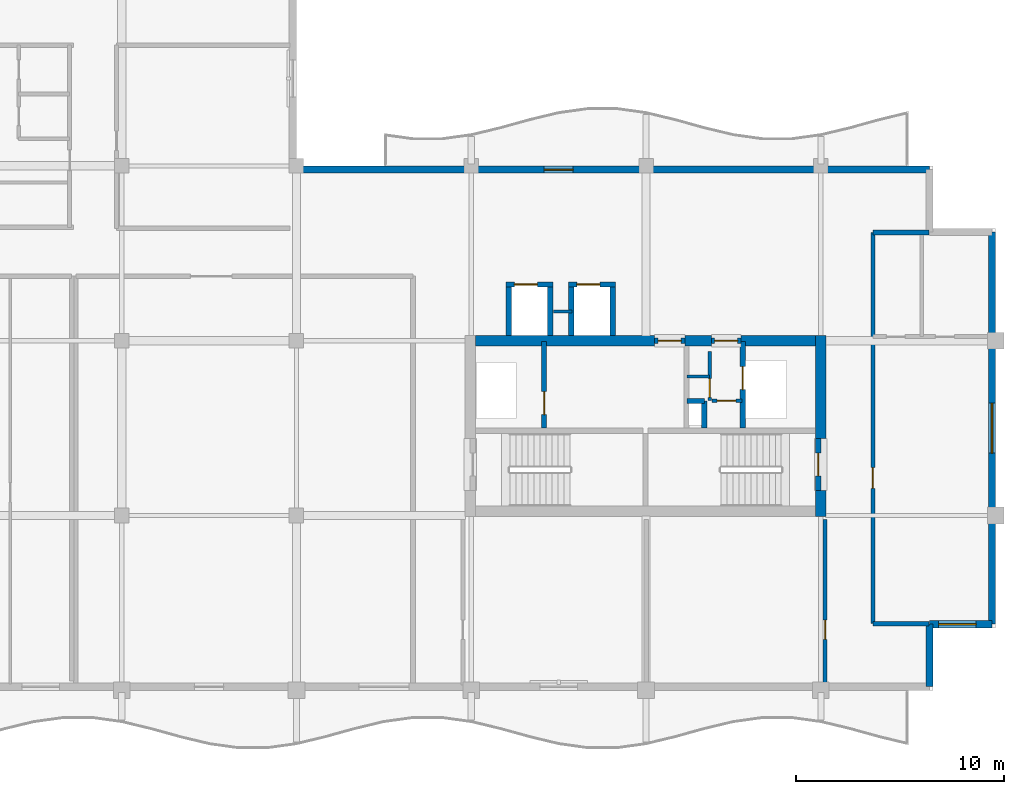
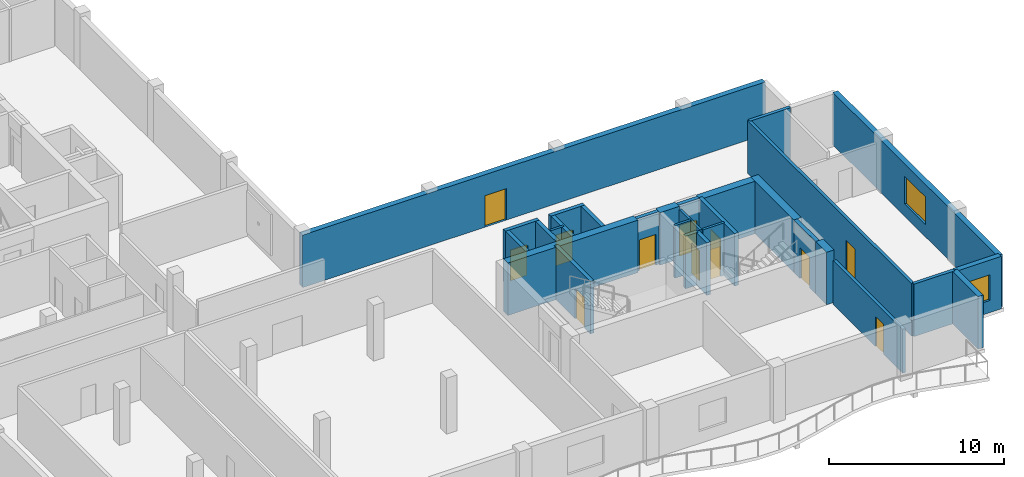
# One storey, part 4 of 11: 30 walls, 12 doors, 2 windows, 14 openings.
"""IFC4 building model written with IfcOpenShell, lengths in metres."""

from ifc_helpers import new_model, si_unit, direction, frame, frame_2d, origin, place, context, subcontext, project, spatial, rectangle, extrude, material, layer, layer_set, type_object, element, fill, save


model = new_model("IFC4")

# Units and contexts
model_context = context("Model", 3, precision=1e-05, world=origin(), true_north=direction((0.0, 1.0)))
body_context = subcontext(model_context, "Body", "Model", "MODEL_VIEW")
ifc_project = project(units=[si_unit("LENGTHUNIT", "METRE"), si_unit("AREAUNIT", "SQUARE_METRE"), si_unit("VOLUMEUNIT", "CUBIC_METRE"), si_unit("PLANEANGLEUNIT", "RADIAN"), si_unit("MASSUNIT", "GRAM", prefix="KILO")], contexts=[model_context])

# Site, building, storey
site_placement = place(None, origin())
site = spatial("IfcSite", under=ifc_project, at=site_placement, CompositionType="ELEMENT")
building_placement = place(site_placement, origin())
building = spatial("IfcBuilding", under=site, at=building_placement, Name="Koriwani Terraces Tower", CompositionType="ELEMENT")
storey_placement = place(building_placement, frame((0.0, 0.0, 335.89990234375)))
storey = spatial("IfcBuildingStorey", under=building, at=storey_placement, Name="L83", CompositionType="ELEMENT", Elevation=335.89990234375)

# Walls
ifc_material_1 = material(Name="Concrete C50/60", Category="concrete")
ifc_layer_1 = layer(ifc_material_1, 0.5, Name="Concrete C50/60")
ifc_layer_set_1 = layer_set([ifc_layer_1], Name="Concrete C50/60")
wall_type_1 = type_object("IfcWallType", Name="WALL_CORE_RC_500", PredefinedType="SHEAR", material=ifc_layer_set_1)
wall_1_placement = place(storey_placement, frame((58.800048828125, 16.75, 0.0), z_axis=(0.0, 0.0, 1.0), x_axis=(0.0, 1.0, 0.0)))
element("IfcWall", 1, at=wall_1_placement, inside=storey, type_object=wall_type_1, Name="L83 East Split Core Shear Wall E1", PredefinedType="SHEAR", context=body_context, shape_type="SweptSolid", body=[
    extrude(rectangle(XDim=1.25, YDim=0.5, at=frame_2d((0.625, 0.0))), origin(), (0.0, 0.0, 1.0), 3.670166015625),
])
wall_2_placement = place(storey_placement, frame((58.800048828125, 20.5, 0.0), z_axis=(0.0, 0.0, 1.0), x_axis=(0.0, 1.0, 0.0)))
element("IfcWall", 2, at=wall_2_placement, inside=storey, type_object=wall_type_1, Name="L83 East Split Core Shear Wall E2", PredefinedType="SHEAR", context=body_context, shape_type="SweptSolid", body=[
    extrude(rectangle(XDim=4.949951171875, YDim=0.5, at=frame_2d((2.47509765625, 0.0))), origin(), (0.0, 0.0, 1.0), 3.670166015625),
])
wall_3_placement = place(storey_placement, frame((42.199951171875, 25.199951171875, 0.0), z_axis=(0.0, 0.0, 1.0), x_axis=(1.0, 0.0, 0.0)))
element("IfcWall", 3, at=wall_3_placement, inside=storey, type_object=wall_type_1, Name="L83 East Split Core Shear Wall N1", PredefinedType="SHEAR", context=body_context, shape_type="SweptSolid", body=[
    extrude(rectangle(XDim=8.60009765625, YDim=0.5, at=frame_2d((4.300048828125, 0.0))), origin(), (0.0, 0.0, 1.0), 3.670166015625),
])
wall_4_placement = place(storey_placement, frame((52.280029296875, 25.199951171875, 0.0), z_axis=(0.0, 0.0, 1.0), x_axis=(1.0, 0.0, 0.0)))
element("IfcWall", 4, at=wall_4_placement, inside=storey, type_object=wall_type_1, Name="L83 East Split Core Shear Wall N2", PredefinedType="SHEAR", context=body_context, shape_type="SweptSolid", body=[
    extrude(rectangle(XDim=1.27001953125, YDim=0.5, at=frame_2d((0.635009765625, 0.0))), origin(), (0.0, 0.0, 1.0), 3.670166015625),
])
wall_5_placement = place(storey_placement, frame((54.949951171875, 25.199951171875, 0.0), z_axis=(0.0, 0.0, 1.0), x_axis=(1.0, 0.0, 0.0)))
element("IfcWall", 5, at=wall_5_placement, inside=storey, type_object=wall_type_1, Name="L83 East Split Core Shear Wall N3", PredefinedType="SHEAR", context=body_context, shape_type="SweptSolid", body=[
    extrude(rectangle(XDim=3.60009765625, YDim=0.5, at=frame_2d((1.800048828125, 0.0))), origin(), (0.0, 0.0, 1.0), 3.670166015625),
])

# Wall, opening, door
ifc_material_2 = material(Name="Autoclaved Cellular Concrete Blockwork", Category="masonry")
ifc_layer_2 = layer(ifc_material_2, 0.199951171875, Name="Autoclaved Cellular Concrete Blockwork")
ifc_layer_set_2 = layer_set([ifc_layer_2], Name="Autoclaved Cellular Concrete Blockwork")
wall_type_2 = type_object("IfcWallType", Name="WALL_CORRIDOR_200", PredefinedType="PARTITIONING", material=ifc_layer_set_2)
wall_6_placement = place(storey_placement, frame((59.0, 8.64990234375, 0.0), z_axis=(0.0, 0.0, 1.0), x_axis=(0.0, 1.0, 0.0)))
wall_6 = element("IfcWall", 6, at=wall_6_placement, inside=storey, type_object=wall_type_2, Name="L83 Interior Wall WRZ4-EE-L83", PredefinedType="PARTITIONING", context=body_context, shape_type="SweptSolid", body=[
    extrude(rectangle(XDim=7.9501953125, YDim=0.199951171875, at=frame_2d((3.97509765625, 0.0))), origin(), (0.0, 0.0, 1.0), 3.070068359375),
])
opening_1_placement = place(wall_6_placement, frame((2.199951171875, 0.0, 0.0)))
opening_1 = element("IfcOpeningElement", 7, at=opening_1_placement, cuts=wall_6, Name="Opening D-06", PredefinedType="OPENING", context=body_context, shape_type="SweptSolid", body=[
    extrude(rectangle(XDim=0.919921875, YDim=2.10009765625, at=frame_2d((0.4599609375, 1.050048828125))), frame((0.0, 0.10986328125, 0.0), z_axis=(0.0, -1.0, 0.0), x_axis=(1.0, 0.0, 0.0)), (0.0, 0.0, 1.0), 0.219970703125),
])
ifc_material_3 = material(Name="Architectural Oak Fire Door", Category="wood")
door_type_1 = type_object("IfcDoorType", Name="DOOR_ROOM_INT_920X2100", OperationType="NOTDEFINED", PredefinedType="DOOR", material=ifc_material_3)
door_1_placement = place(opening_1_placement, origin())
door_1 = element("IfcDoor", 8, at=door_1_placement, inside=storey, type_object=door_type_1, Name="L83 Resident Laundry Room Door", OperationType="SINGLE_SWING_LEFT", OverallHeight=2.10009765625, OverallWidth=0.919921875, PredefinedType="DOOR", context=body_context, shape_type="SweptSolid", body=[
    extrude(rectangle(XDim=0.919921875, YDim=2.10009765625, at=frame_2d((0.4599609375, 1.050048828125))), frame((0.0, 0.02490234375, 0.0), z_axis=(0.0, -1.0, 0.0), x_axis=(1.0, 0.0, 0.0)), (0.0, 0.0, 1.0), 0.050048828125),
])
fill(opening_1, door_1)

wall_7_placement = place(storey_placement, frame((61.300048828125, 11.60009765625, 0.0), z_axis=(0.0, 0.0, 1.0), x_axis=(0.0, 1.0, 0.0)))
wall_7 = element("IfcWall", 9, at=wall_7_placement, inside=storey, type_object=wall_type_2, Name="L83 Interior Wall WET-W-L83", PredefinedType="PARTITIONING", context=body_context, shape_type="SweptSolid", body=[
    extrude(rectangle(XDim=18.7998046875, YDim=0.199951171875, at=frame_2d((9.39990234375, 0.0))), origin(), (0.0, 0.0, 1.0), 3.670166015625),
])
opening_2_placement = place(wall_7_placement, frame((6.5, 0.0, 0.0)))
opening_2 = element("IfcOpeningElement", 10, at=opening_2_placement, cuts=wall_7, Name="Opening D-05", PredefinedType="OPENING", context=body_context, shape_type="SweptSolid", body=[
    extrude(rectangle(XDim=1.0, YDim=2.14990234375, at=frame_2d((0.5, 1.074951171875))), frame((0.0, 0.10986328125, 0.0), z_axis=(0.0, -1.0, 0.0), x_axis=(1.0, 0.0, 0.0)), (0.0, 0.0, 1.0), 0.219970703125),
])
door_type_2 = type_object("IfcDoorType", Name="DOOR_SUITE_ENTRY_1000X2150", OperationType="NOTDEFINED", PredefinedType="DOOR", material=ifc_material_3)
door_2_placement = place(opening_2_placement, origin())
door_2 = element("IfcDoor", 11, at=door_2_placement, inside=storey, type_object=door_type_2, Name="Apartment 83ET Entrance Door", OperationType="SINGLE_SWING_LEFT", OverallHeight=2.14990234375, OverallWidth=1.0, PredefinedType="DOOR", context=body_context, shape_type="SweptSolid", body=[
    extrude(rectangle(XDim=1.0, YDim=2.14990234375, at=frame_2d((0.5, 1.074951171875))), frame((0.0, 0.02490234375, 0.0), z_axis=(0.0, -1.0, 0.0), x_axis=(1.0, 0.0, 0.0)), (0.0, 0.0, 1.0), 0.050048828125),
])
fill(opening_2, door_2)

# Walls
ifc_layer_3 = layer(ifc_material_2, 0.219970703125, Name="Autoclaved Cellular Concrete Blockwork")
ifc_layer_set_3 = layer_set([ifc_layer_3], Name="Autoclaved Cellular Concrete Blockwork")
wall_type_3 = type_object("IfcWallType", Name="WALL_DEMISING_220", PredefinedType="PARTITIONING", material=ifc_layer_set_3)
for number, where, z_axis, x_axis, name in (
    (12, (61.300048828125, 11.60009765625, 0.0), (0.0, 0.0, 1.0), (1.0, 0.0, 0.0), "L83 Interior Wall WET-S-L83"),
    (13, (61.300048828125, 30.39990234375, 0.0), (0.0, 0.0, 1.0), (1.0, 0.0, 0.0), "L83 Interior Wall WET-N-L83"),
):
    element("IfcWall", number, at=place(storey_placement, frame(where, z_axis=z_axis, x_axis=x_axis)), inside=storey, type_object=wall_type_3, Name=name, PredefinedType="PARTITIONING", context=body_context, shape_type="SweptSolid", body=[
        extrude(rectangle(XDim=2.699951171875, YDim=0.219970703125, at=frame_2d((1.35009765625, 0.0))), origin(), (0.0, 0.0, 1.0), 3.670166015625),
    ])

# Wall, opening, door
ifc_layer_4 = layer(ifc_material_1, 0.35009765625, Name="Concrete C50/60")
ifc_layer_set_4 = layer_set([ifc_layer_4], Name="Concrete C50/60")
wall_type_4 = type_object("IfcWallType", Name="WALL_EXT_BRUTALIST_350", PredefinedType="STANDARD", material=ifc_layer_set_4)
wall_8_placement = place(storey_placement, frame((33.425048828125, 33.425048828125, 0.0), z_axis=(0.0, 0.0, 1.0), x_axis=(1.0, 0.0, 0.0)))
wall_8 = element("IfcWall", 14, at=wall_8_placement, inside=storey, type_object=wall_type_4, Name="L83 Fair-Faced Brutalist Exterior Wall (NE)", PredefinedType="STANDARD", context=body_context, shape_type="SweptSolid", body=[
    extrude(rectangle(XDim=30.599853515625, YDim=0.35009765625, at=frame_2d((15.2998046875, 0.0))), origin(), (0.0, 0.0, 1.0), 3.670166015625),
])
opening_3_placement = place(wall_8_placement, frame((12.074951171875, 0.0, 0.0)))
opening_3 = element("IfcOpeningElement", 15, at=opening_3_placement, cuts=wall_8, Name="Opening D-09", PredefinedType="OPENING", context=body_context, shape_type="SweptSolid", body=[
    extrude(rectangle(XDim=1.39990234375, YDim=2.199951171875, at=frame_2d((0.699951171875, 1.10009765625))), frame((0.0, 0.18505859375, 0.0), z_axis=(0.0, -1.0, 0.0), x_axis=(1.0, 0.0, 0.0)), (0.0, 0.0, 1.0), 0.3701171875),
])
ifc_material_4 = material(Name="Anodised Bronze Aluminium", Category="aluminium")
door_type_3 = type_object("IfcDoorType", Name="DOOR_BALCONY_GLAZED_1400X2200", OperationType="NOTDEFINED", PredefinedType="DOOR", material=ifc_material_4)
door_3_placement = place(opening_3_placement, origin())
door_3 = element("IfcDoor", 16, at=door_3_placement, inside=storey, type_object=door_type_3, Name="L83 Inner Court Balcony Glazed Door", OperationType="SINGLE_SWING_LEFT", OverallHeight=2.199951171875, OverallWidth=1.39990234375, PredefinedType="DOOR", context=body_context, shape_type="SweptSolid", body=[
    extrude(rectangle(XDim=1.39990234375, YDim=2.199951171875, at=frame_2d((0.699951171875, 1.10009765625))), frame((0.0, 0.02490234375, 0.0), z_axis=(0.0, -1.0, 0.0), x_axis=(1.0, 0.0, 0.0)), (0.0, 0.0, 1.0), 0.050048828125),
])
fill(opening_3, door_3)

# Wall, opening, window
wall_9_placement = place(storey_placement, frame((67.02490234375, 30.425048828125, 0.0), z_axis=(0.0, 0.0, 1.0), x_axis=(0.0, -1.0, 0.0)))
wall_9 = element("IfcWall", 17, at=wall_9_placement, inside=storey, type_object=wall_type_4, Name="L83 Fair-Faced Brutalist Exterior Wall (E_TIP)", PredefinedType="STANDARD", context=body_context, shape_type="SweptSolid", body=[
    extrude(rectangle(XDim=18.85009765625, YDim=0.35009765625, at=frame_2d((9.425048828125, 0.0))), origin(), (0.0, 0.0, 1.0), 3.670166015625),
])
opening_4_placement = place(wall_9_placement, frame((8.22509765625, 0.0, 0.85009765625)))
opening_4 = element("IfcOpeningElement", 18, at=opening_4_placement, cuts=wall_9, Name="Opening W-03", PredefinedType="OPENING", context=body_context, shape_type="SweptSolid", body=[
    extrude(rectangle(XDim=2.39990234375, YDim=1.949951171875, at=frame_2d((1.199951171875, 0.97509765625))), frame((0.0, 0.18505859375, 0.0), z_axis=(0.0, -1.0, 0.0), x_axis=(1.0, 0.0, 0.0)), (0.0, 0.0, 1.0), 0.3701171875),
])
ifc_material_5 = material(Name="Tempered Laminated Low-E Glass", Category="glass")
window_type_1 = type_object("IfcWindowType", Name="WIN_RES_LIVING_2400X1950", PartitioningType="DOUBLE_PANEL_VERTICAL", PredefinedType="WINDOW", material=ifc_material_5)
window_1_placement = place(opening_4_placement, origin())
window_1 = element("IfcWindow", 19, at=window_1_placement, inside=storey, type_object=window_type_1, Name="L83 Exterior Window (E_TIP-3)", OverallHeight=1.949951171875, OverallWidth=2.39990234375, PartitioningType="SINGLE_PANEL", PredefinedType="WINDOW", context=body_context, shape_type="SweptSolid", body=[
    extrude(rectangle(XDim=2.39990234375, YDim=1.949951171875, at=frame_2d((1.199951171875, 0.97509765625))), frame((0.0, 0.030029296875, 0.0), z_axis=(0.0, -1.0, 0.0), x_axis=(1.0, 0.0, 0.0)), (0.0, 0.0, 1.0), 0.06005859375),
])
fill(opening_4, window_1)

wall_10_placement = place(storey_placement, frame((67.02490234375, 11.574951171875, 0.0), z_axis=(0.0, 0.0, 1.0), x_axis=(-1.0, 0.0, 0.0)))
wall_10 = element("IfcWall", 20, at=wall_10_placement, inside=storey, type_object=wall_type_4, Name="L83 Fair-Faced Brutalist Exterior Wall (N13)", PredefinedType="STANDARD", context=body_context, shape_type="SweptSolid", body=[
    extrude(rectangle(XDim=3.0, YDim=0.35009765625, at=frame_2d((1.5, 0.0))), origin(), (0.0, 0.0, 1.0), 3.670166015625),
])
opening_5_placement = place(wall_10_placement, frame((0.762451171875, 0.0, 0.85009765625)))
opening_5 = element("IfcOpeningElement", 21, at=opening_5_placement, cuts=wall_10, Name="Opening W-04", PredefinedType="OPENING", context=body_context, shape_type="SweptSolid", body=[
    extrude(rectangle(XDim=1.800048828125, YDim=1.800048828125, at=frame_2d((0.89990234375, 0.89990234375))), frame((0.0, 0.18505859375, 0.0), z_axis=(0.0, -1.0, 0.0), x_axis=(1.0, 0.0, 0.0)), (0.0, 0.0, 1.0), 0.3701171875),
])
window_type_2 = type_object("IfcWindowType", Name="WIN_RES_BED_1800X1800", PartitioningType="DOUBLE_PANEL_VERTICAL", PredefinedType="WINDOW", material=ifc_material_5)
window_2_placement = place(opening_5_placement, origin())
window_2 = element("IfcWindow", 22, at=window_2_placement, inside=storey, type_object=window_type_2, Name="L83 Exterior Window (N13-R46)", OverallHeight=1.800048828125, OverallWidth=1.800048828125, PartitioningType="SINGLE_PANEL", PredefinedType="WINDOW", context=body_context, shape_type="SweptSolid", body=[
    extrude(rectangle(XDim=1.800048828125, YDim=1.800048828125, at=frame_2d((0.89990234375, 0.89990234375))), frame((0.0, 0.030029296875, 0.0), z_axis=(0.0, -1.0, 0.0), x_axis=(1.0, 0.0, 0.0)), (0.0, 0.0, 1.0), 0.06005859375),
])
fill(opening_5, window_2)

# Wall
wall_11_placement = place(storey_placement, frame((64.02490234375, 11.574951171875, 0.0), z_axis=(0.0, 0.0, 1.0), x_axis=(0.0, -1.0, 0.0)))
element("IfcWall", 23, at=wall_11_placement, inside=storey, type_object=wall_type_4, Name="L83 Fair-Faced Brutalist Exterior Wall (N14)", PredefinedType="STANDARD", context=body_context, shape_type="SweptSolid", body=[
    extrude(rectangle(XDim=3.0, YDim=0.35009765625, at=frame_2d((1.5, 0.0))), origin(), (0.0, 0.0, 1.0), 3.670166015625),
])

# Wall, opening, door
ifc_material_6 = material(Name="Concrete C40/50", Category="concrete")
ifc_layer_5 = layer(ifc_material_6, 0.25, Name="Concrete C40/50")
ifc_layer_set_5 = layer_set([ifc_layer_5], Name="Concrete C40/50")
wall_type_5 = type_object("IfcWallType", Name="WALL_SHAFT_RATED_250", PredefinedType="SOLIDWALL", material=ifc_layer_set_5)
wall_12_placement = place(storey_placement, frame((58.675048828125, 18.0, 0.0), z_axis=(0.0, 0.0, 1.0), x_axis=(0.0, 1.0, 0.0)))
wall_12 = element("IfcWall", 24, at=wall_12_placement, inside=storey, type_object=wall_type_5, Name="L83 Interior Wall WIN-CE-L83-STE", PredefinedType="SOLIDWALL", context=body_context, shape_type="SweptSolid", body=[
    extrude(rectangle(XDim=2.5, YDim=0.25, at=frame_2d((1.25, 0.0))), origin(), (0.0, 0.0, 1.0), 3.670166015625),
])
opening_6_placement = place(wall_12_placement, frame((0.699951171875, 0.0, 0.0)))
opening_6 = element("IfcOpeningElement", 25, at=opening_6_placement, cuts=wall_12, Name="Opening D-03", PredefinedType="OPENING", context=body_context, shape_type="SweptSolid", body=[
    extrude(rectangle(XDim=1.10009765625, YDim=2.14990234375, at=frame_2d((0.550048828125, 1.074951171875))), frame((0.0, 0.135009765625, 0.0), z_axis=(0.0, -1.0, 0.0), x_axis=(1.0, 0.0, 0.0)), (0.0, 0.0, 1.0), 0.27001953125),
])
ifc_material_7 = material(Name="Steel ASTM A572 Grade 50", Category="steel")
door_type_4 = type_object("IfcDoorType", Name="DOOR_STAIR_FIRE_1100X2150", OperationType="NOTDEFINED", PredefinedType="DOOR", material=ifc_material_7)
door_4_placement = place(opening_6_placement, origin())
door_4 = element("IfcDoor", 26, at=door_4_placement, inside=storey, type_object=door_type_4, Name="L83 Exit Stair ST-E2 Door", OperationType="SINGLE_SWING_LEFT", OverallHeight=2.14990234375, OverallWidth=1.10009765625, PredefinedType="DOOR", context=body_context, shape_type="SweptSolid", body=[
    extrude(rectangle(XDim=1.10009765625, YDim=2.14990234375, at=frame_2d((0.550048828125, 1.074951171875))), frame((0.0, 0.02490234375, 0.0), z_axis=(0.0, -1.0, 0.0), x_axis=(1.0, 0.0, 0.0)), (0.0, 0.0, 1.0), 0.050048828125),
])
fill(opening_6, door_4)

wall_13_placement = place(storey_placement, frame((45.5, 21.0, 0.0), z_axis=(0.0, 0.0, 1.0), x_axis=(0.0, 1.0, 0.0)))
wall_13 = element("IfcWall", 27, at=wall_13_placement, inside=storey, type_object=wall_type_5, Name="L83 Interior Wall WIN-CE-L83-FE", PredefinedType="SOLIDWALL", context=body_context, shape_type="SweptSolid", body=[
    extrude(rectangle(XDim=4.14990234375, YDim=0.25, at=frame_2d((2.074951171875, 0.0))), origin(), (0.0, 0.0, 1.0), 3.670166015625),
])
opening_7_placement = place(wall_13_placement, frame((0.64990234375, 0.0, 0.0)))
opening_7 = element("IfcOpeningElement", 28, at=opening_7_placement, cuts=wall_13, Name="Opening LD-01", PredefinedType="OPENING", context=body_context, shape_type="SweptSolid", body=[
    extrude(rectangle(XDim=1.10009765625, YDim=2.14990234375, at=frame_2d((0.550048828125, 1.074951171875))), frame((0.0, 0.135009765625, 0.0), z_axis=(0.0, -1.0, 0.0), x_axis=(1.0, 0.0, 0.0)), (0.0, 0.0, 1.0), 0.27001953125),
])
door_type_5 = type_object("IfcDoorType", Name="DOOR_LIFT_LANDING_1100X2200", OperationType="NOTDEFINED", PredefinedType="DOOR", material=ifc_material_7)
door_5_placement = place(opening_7_placement, origin())
door_5 = element("IfcDoor", 29, at=door_5_placement, inside=storey, type_object=door_type_5, Name="L83 Firefighting Lift FE-02 Landing Door", OperationType="SLIDING_TO_LEFT", OverallHeight=2.14990234375, OverallWidth=1.10009765625, PredefinedType="DOOR", context=body_context, shape_type="SweptSolid", body=[
    extrude(rectangle(XDim=1.10009765625, YDim=2.14990234375, at=frame_2d((0.550048828125, 1.074951171875))), frame((0.0, 0.02490234375, 0.0), z_axis=(0.0, -1.0, 0.0), x_axis=(1.0, 0.0, 0.0)), (0.0, 0.0, 1.0), 0.050048828125),
])
fill(opening_7, door_5)

wall_14_placement = place(storey_placement, frame((50.800048828125, 25.199951171875, 0.0), z_axis=(0.0, 0.0, 1.0), x_axis=(1.0, 0.0, 0.0)))
wall_14 = element("IfcWall", 30, at=wall_14_placement, inside=storey, type_object=wall_type_5, Name="L83 Interior Wall WIN-CE-L83-NP", PredefinedType="SOLIDWALL", context=body_context, shape_type="SweptSolid", body=[
    extrude(rectangle(XDim=1.47998046875, YDim=0.25, at=frame_2d((0.739990234375, 0.0))), origin(), (0.0, 0.0, 1.0), 3.670166015625),
])
opening_8_placement = place(wall_14_placement, frame((0.179931640625, 0.0, 0.0)))
opening_8 = element("IfcOpeningElement", 31, at=opening_8_placement, cuts=wall_14, Name="Opening D-03", PredefinedType="OPENING", context=body_context, shape_type="SweptSolid", body=[
    extrude(rectangle(XDim=1.10009765625, YDim=2.14990234375, at=frame_2d((0.550048828125, 1.074951171875))), frame((0.0, 0.135009765625, 0.0), z_axis=(0.0, -1.0, 0.0), x_axis=(1.0, 0.0, 0.0)), (0.0, 0.0, 1.0), 0.27001953125),
])
door_6_placement = place(opening_8_placement, origin())
door_6 = element("IfcDoor", 32, at=door_6_placement, inside=storey, type_object=door_type_4, Name="L83 East Firefighting Lobby Door", OperationType="SINGLE_SWING_RIGHT", OverallHeight=2.14990234375, OverallWidth=1.10009765625, PredefinedType="DOOR", context=body_context, shape_type="SweptSolid", body=[
    extrude(rectangle(XDim=1.10009765625, YDim=2.14990234375, at=frame_2d((0.550048828125, 1.074951171875))), frame((0.0, 0.02490234375, 0.0), z_axis=(0.0, -1.0, 0.0), x_axis=(1.0, 0.0, 0.0)), (0.0, 0.0, 1.0), 0.050048828125),
])
fill(opening_8, door_6)

wall_15_placement = place(storey_placement, frame((55.050048828125, 21.0, 0.0), z_axis=(0.0, 0.0, 1.0), x_axis=(0.0, 1.0, 0.0)))
wall_15 = element("IfcWall", 33, at=wall_15_placement, inside=storey, type_object=wall_type_5, Name="L83 Interior Wall WIN-CE-L83-SE", PredefinedType="SOLIDWALL", context=body_context, shape_type="SweptSolid", body=[
    extrude(rectangle(XDim=4.14990234375, YDim=0.25, at=frame_2d((2.074951171875, 0.0))), origin(), (0.0, 0.0, 1.0), 3.670166015625),
])
opening_9_placement = place(wall_15_placement, frame((1.85009765625, 0.0, 0.0)))
opening_9 = element("IfcOpeningElement", 34, at=opening_9_placement, cuts=wall_15, Name="Opening LD-01", PredefinedType="OPENING", context=body_context, shape_type="SweptSolid", body=[
    extrude(rectangle(XDim=1.10009765625, YDim=2.14990234375, at=frame_2d((0.550048828125, 1.074951171875))), frame((0.0, 0.135009765625, 0.0), z_axis=(0.0, -1.0, 0.0), x_axis=(1.0, 0.0, 0.0)), (0.0, 0.0, 1.0), 0.27001953125),
])
door_7_placement = place(opening_9_placement, origin())
door_7 = element("IfcDoor", 35, at=door_7_placement, inside=storey, type_object=door_type_5, Name="L83 Goods Lift SE-02 Landing Door", OperationType="SLIDING_TO_LEFT", OverallHeight=2.14990234375, OverallWidth=1.10009765625, PredefinedType="DOOR", context=body_context, shape_type="SweptSolid", body=[
    extrude(rectangle(XDim=1.10009765625, YDim=2.14990234375, at=frame_2d((0.550048828125, 1.074951171875))), frame((0.0, 0.02490234375, 0.0), z_axis=(0.0, -1.0, 0.0), x_axis=(1.0, 0.0, 0.0)), (0.0, 0.0, 1.0), 0.050048828125),
])
fill(opening_9, door_7)

wall_16_placement = place(storey_placement, frame((53.550048828125, 25.199951171875, 0.0), z_axis=(0.0, 0.0, 1.0), x_axis=(1.0, 0.0, 0.0)))
wall_16 = element("IfcWall", 36, at=wall_16_placement, inside=storey, type_object=wall_type_5, Name="L83 Interior Wall WIN-CE-L83-NP2", PredefinedType="SOLIDWALL", context=body_context, shape_type="SweptSolid", body=[
    extrude(rectangle(XDim=1.39990234375, YDim=0.25, at=frame_2d((0.699951171875, 0.0))), origin(), (0.0, 0.0, 1.0), 3.670166015625),
])
opening_10_placement = place(wall_16_placement, frame((0.14990234375, 0.0, 0.0)))
opening_10 = element("IfcOpeningElement", 37, at=opening_10_placement, cuts=wall_16, Name="Opening D-03", PredefinedType="OPENING", context=body_context, shape_type="SweptSolid", body=[
    extrude(rectangle(XDim=1.10009765625, YDim=2.14990234375, at=frame_2d((0.550048828125, 1.074951171875))), frame((0.0, 0.135009765625, 0.0), z_axis=(0.0, -1.0, 0.0), x_axis=(1.0, 0.0, 0.0)), (0.0, 0.0, 1.0), 0.27001953125),
])
door_8_placement = place(opening_10_placement, origin())
door_8 = element("IfcDoor", 38, at=door_8_placement, inside=storey, type_object=door_type_4, Name="L83 East Goods Lift Lobby Door", OperationType="SINGLE_SWING_LEFT", OverallHeight=2.14990234375, OverallWidth=1.10009765625, PredefinedType="DOOR", context=body_context, shape_type="SweptSolid", body=[
    extrude(rectangle(XDim=1.10009765625, YDim=2.14990234375, at=frame_2d((0.550048828125, 1.074951171875))), frame((0.0, 0.02490234375, 0.0), z_axis=(0.0, -1.0, 0.0), x_axis=(1.0, 0.0, 0.0)), (0.0, 0.0, 1.0), 0.050048828125),
])
fill(opening_10, door_8)

# Walls
wall_17_placement = place(storey_placement, frame((53.199951171875, 21.0, 0.0), z_axis=(0.0, 0.0, 1.0), x_axis=(0.0, 1.0, 0.0)))
element("IfcWall", 39, at=wall_17_placement, inside=storey, type_object=wall_type_5, Name="L83 Interior Wall WIN-CE-L83-RS1", PredefinedType="SOLIDWALL", context=body_context, shape_type="SweptSolid", body=[
    extrude(rectangle(XDim=1.300048828125, YDim=0.25, at=frame_2d((0.64990234375, 0.0))), origin(), (0.0, 0.0, 1.0), 3.670166015625),
])
wall_18_placement = place(storey_placement, frame((52.360107421875, 22.300048828125, 0.0), z_axis=(0.0, 0.0, 1.0), x_axis=(1.0, 0.0, 0.0)))
element("IfcWall", 40, at=wall_18_placement, inside=storey, type_object=wall_type_5, Name="L83 Interior Wall WIN-CE-L83-RS2", PredefinedType="SOLIDWALL", context=body_context, shape_type="SweptSolid", body=[
    extrude(rectangle(XDim=0.83984375, YDim=0.25, at=frame_2d((0.419921875, 0.0))), origin(), (0.0, 0.0, 1.0), 3.670166015625),
])

# Wall, opening, door
wall_19_placement = place(storey_placement, frame((43.675048828125, 27.89990234375, 0.0), z_axis=(0.0, 0.0, 1.0), x_axis=(1.0, 0.0, 0.0)))
wall_19 = element("IfcWall", 41, at=wall_19_placement, inside=storey, type_object=wall_type_5, Name="L83 Interior Wall WIN-LF-PE-H3-L83-F", PredefinedType="SOLIDWALL", context=body_context, shape_type="SweptSolid", body=[
    extrude(rectangle(XDim=2.25, YDim=0.25, at=frame_2d((1.125, 0.0))), origin(), (0.0, 0.0, 1.0), 3.670166015625),
])
opening_11_placement = place(wall_19_placement, frame((0.39990234375, 0.0, 0.0)))
opening_11 = element("IfcOpeningElement", 42, at=opening_11_placement, cuts=wall_19, Name="Opening LD-01", PredefinedType="OPENING", context=body_context, shape_type="SweptSolid", body=[
    extrude(rectangle(XDim=1.10009765625, YDim=2.14990234375, at=frame_2d((0.550048828125, 1.074951171875))), frame((0.0, 0.135009765625, 0.0), z_axis=(0.0, -1.0, 0.0), x_axis=(1.0, 0.0, 0.0)), (0.0, 0.0, 1.0), 0.27001953125),
])
door_9_placement = place(opening_11_placement, origin())
door_9 = element("IfcDoor", 43, at=door_9_placement, inside=storey, type_object=door_type_5, Name="L83 Passenger Lift PE-H3 Landing Door", OperationType="SLIDING_TO_LEFT", OverallHeight=2.14990234375, OverallWidth=1.10009765625, PredefinedType="DOOR", context=body_context, shape_type="SweptSolid", body=[
    extrude(rectangle(XDim=1.10009765625, YDim=2.14990234375, at=frame_2d((0.550048828125, 1.074951171875))), frame((0.0, 0.02490234375, 0.0), z_axis=(0.0, -1.0, 0.0), x_axis=(1.0, 0.0, 0.0)), (0.0, 0.0, 1.0), 0.050048828125),
])
fill(opening_11, door_9)

# Walls
for number, where, z_axis, x_axis, name in (
    (44, (43.800048828125, 25.449951171875, 0.0), (0.0, 0.0, 1.0), (0.0, 1.0, 0.0), "L83 Interior Wall WIN-LF-PE-H3-L83-W"),
    (45, (45.800048828125, 25.449951171875, 0.0), (0.0, 0.0, 1.0), (0.0, 1.0, 0.0), "L83 Interior Wall WIN-LF-PE-H3-L83-E"),
):
    element("IfcWall", number, at=place(storey_placement, frame(where, z_axis=z_axis, x_axis=x_axis)), inside=storey, type_object=wall_type_5, Name=name, PredefinedType="SOLIDWALL", context=body_context, shape_type="SweptSolid", body=[
        extrude(rectangle(XDim=2.324951171875, YDim=0.25, at=frame_2d((1.16259765625, 0.0))), origin(), (0.0, 0.0, 1.0), 3.670166015625),
    ])

# Wall, opening, door
wall_20_placement = place(storey_placement, frame((46.675048828125, 27.89990234375, 0.0), z_axis=(0.0, 0.0, 1.0), x_axis=(1.0, 0.0, 0.0)))
wall_20 = element("IfcWall", 46, at=wall_20_placement, inside=storey, type_object=wall_type_5, Name="L83 Interior Wall WIN-LF-PE-H4-L83-F", PredefinedType="SOLIDWALL", context=body_context, shape_type="SweptSolid", body=[
    extrude(rectangle(XDim=2.25, YDim=0.25, at=frame_2d((1.125, 0.0))), origin(), (0.0, 0.0, 1.0), 3.670166015625),
])
opening_12_placement = place(wall_20_placement, frame((0.39990234375, 0.0, 0.0)))
opening_12 = element("IfcOpeningElement", 47, at=opening_12_placement, cuts=wall_20, Name="Opening LD-01", PredefinedType="OPENING", context=body_context, shape_type="SweptSolid", body=[
    extrude(rectangle(XDim=1.10009765625, YDim=2.14990234375, at=frame_2d((0.550048828125, 1.074951171875))), frame((0.0, 0.135009765625, 0.0), z_axis=(0.0, -1.0, 0.0), x_axis=(1.0, 0.0, 0.0)), (0.0, 0.0, 1.0), 0.27001953125),
])
door_10_placement = place(opening_12_placement, origin())
door_10 = element("IfcDoor", 48, at=door_10_placement, inside=storey, type_object=door_type_5, Name="L83 Passenger Lift PE-H4 Landing Door", OperationType="SLIDING_TO_LEFT", OverallHeight=2.14990234375, OverallWidth=1.10009765625, PredefinedType="DOOR", context=body_context, shape_type="SweptSolid", body=[
    extrude(rectangle(XDim=1.10009765625, YDim=2.14990234375, at=frame_2d((0.550048828125, 1.074951171875))), frame((0.0, 0.02490234375, 0.0), z_axis=(0.0, -1.0, 0.0), x_axis=(1.0, 0.0, 0.0)), (0.0, 0.0, 1.0), 0.050048828125),
])
fill(opening_12, door_10)

# Walls
for number, where, z_axis, x_axis, name in (
    (49, (46.800048828125, 25.449951171875, 0.0), (0.0, 0.0, 1.0), (0.0, 1.0, 0.0), "L83 Interior Wall WIN-LF-PE-H4-L83-W"),
    (50, (48.800048828125, 25.449951171875, 0.0), (0.0, 0.0, 1.0), (0.0, 1.0, 0.0), "L83 Interior Wall WIN-LF-PE-H4-L83-E"),
):
    element("IfcWall", number, at=place(storey_placement, frame(where, z_axis=z_axis, x_axis=x_axis)), inside=storey, type_object=wall_type_5, Name=name, PredefinedType="SOLIDWALL", context=body_context, shape_type="SweptSolid", body=[
        extrude(rectangle(XDim=2.324951171875, YDim=0.25, at=frame_2d((1.16259765625, 0.0))), origin(), (0.0, 0.0, 1.0), 3.670166015625),
    ])

# Wall, opening, door
ifc_material_8 = material(Name="Fire-Rated Acoustic Gypsum Partition", Category="masonry")
ifc_layer_6 = layer(ifc_material_8, 0.159912109375, Name="Fire-Rated Acoustic Gypsum Partition")
ifc_layer_set_6 = layer_set([ifc_layer_6], Name="Fire-Rated Acoustic Gypsum Partition")
wall_type_6 = type_object("IfcWallType", Name="WALL_SUITE_160", PredefinedType="PARTITIONING", material=ifc_layer_set_6)
wall_21_placement = place(storey_placement, frame((53.56005859375, 22.320068359375, 0.0), z_axis=(0.0, 0.0, 1.0), x_axis=(1.0, 0.0, 0.0)))
wall_21 = element("IfcWall", 51, at=wall_21_placement, inside=storey, type_object=wall_type_6, Name="L83 Interior Wall WIN-CE-L83-SV2A", PredefinedType="PARTITIONING", context=body_context, shape_type="SweptSolid", body=[
    extrude(rectangle(XDim=1.43994140625, YDim=0.159912109375, at=frame_2d((0.719970703125, 0.0))), origin(), (0.0, 0.0, 1.0), 3.670166015625),
])
opening_13_placement = place(wall_21_placement, frame((0.260009765625, 0.0, 0.0)))
opening_13 = element("IfcOpeningElement", 52, at=opening_13_placement, cuts=wall_21, Name="Opening D-07", PredefinedType="OPENING", context=body_context, shape_type="SweptSolid", body=[
    extrude(rectangle(XDim=0.89990234375, YDim=2.10009765625, at=frame_2d((0.449951171875, 1.050048828125))), frame((0.0, 0.08984375, 0.0), z_axis=(0.0, -1.0, 0.0), x_axis=(1.0, 0.0, 0.0)), (0.0, 0.0, 1.0), 0.179931640625),
])
door_type_6 = type_object("IfcDoorType", Name="DOOR_BATH_INT_900X2100", OperationType="NOTDEFINED", PredefinedType="DOOR", material=ifc_material_3)
door_11_placement = place(opening_13_placement, origin())
door_11 = element("IfcDoor", 53, at=door_11_placement, inside=storey, type_object=door_type_6, Name="L83 East Meter Room Door", OperationType="SINGLE_SWING_RIGHT", OverallHeight=2.10009765625, OverallWidth=0.89990234375, PredefinedType="DOOR", context=body_context, shape_type="SweptSolid", body=[
    extrude(rectangle(XDim=0.89990234375, YDim=2.10009765625, at=frame_2d((0.449951171875, 1.050048828125))), frame((0.0, 0.02490234375, 0.0), z_axis=(0.0, -1.0, 0.0), x_axis=(1.0, 0.0, 0.0)), (0.0, 0.0, 1.0), 0.050048828125),
])
fill(opening_13, door_11)

wall_22_placement = place(storey_placement, frame((53.4599609375, 22.320068359375, 0.0), z_axis=(0.0, 0.0, 1.0), x_axis=(0.0, 1.0, 0.0)))
wall_22 = element("IfcWall", 54, at=wall_22_placement, inside=storey, type_object=wall_type_6, Name="L83 Interior Wall WIN-CE-L83-SV2H", PredefinedType="PARTITIONING", context=body_context, shape_type="SweptSolid", body=[
    extrude(rectangle(XDim=2.35986328125, YDim=0.159912109375, at=frame_2d((1.179931640625, 0.0))), origin(), (0.0, 0.0, 1.0), 3.670166015625),
])
opening_14_placement = place(wall_22_placement, frame((0.159912109375, 0.0, 0.0)))
opening_14 = element("IfcOpeningElement", 55, at=opening_14_placement, cuts=wall_22, Name="Opening D-07", PredefinedType="OPENING", context=body_context, shape_type="SweptSolid", body=[
    extrude(rectangle(XDim=0.89990234375, YDim=2.10009765625, at=frame_2d((0.449951171875, 1.050048828125))), frame((0.0, 0.08984375, 0.0), z_axis=(0.0, -1.0, 0.0), x_axis=(1.0, 0.0, 0.0)), (0.0, 0.0, 1.0), 0.179931640625),
])
door_12_placement = place(opening_14_placement, origin())
door_12 = element("IfcDoor", 56, at=door_12_placement, inside=storey, type_object=door_type_6, Name="L83 East Valve Room Door", OperationType="SINGLE_SWING_LEFT", OverallHeight=2.10009765625, OverallWidth=0.89990234375, PredefinedType="DOOR", context=body_context, shape_type="SweptSolid", body=[
    extrude(rectangle(XDim=0.89990234375, YDim=2.10009765625, at=frame_2d((0.449951171875, 1.050048828125))), frame((0.0, 0.02490234375, 0.0), z_axis=(0.0, -1.0, 0.0), x_axis=(1.0, 0.0, 0.0)), (0.0, 0.0, 1.0), 0.050048828125),
])
fill(opening_14, door_12)

# Walls
wall_23_placement = place(storey_placement, frame((52.360107421875, 23.47998046875, 0.0), z_axis=(0.0, 0.0, 1.0), x_axis=(1.0, 0.0, 0.0)))
element("IfcWall", 57, at=wall_23_placement, inside=storey, type_object=wall_type_6, Name="L83 Interior Wall WIN-CE-L83-SV2V", PredefinedType="PARTITIONING", context=body_context, shape_type="SweptSolid", body=[
    extrude(rectangle(XDim=1.099853515625, YDim=0.159912109375, at=frame_2d((0.5498046875, 0.0))), origin(), (0.0, 0.0, 1.0), 3.670166015625),
])
wall_24_placement = place(storey_placement, frame((45.9599609375, 26.60009765625, 0.0), z_axis=(0.0, 0.0, 1.0), x_axis=(1.0, 0.0, 0.0)))
element("IfcWall", 58, at=wall_24_placement, inside=storey, type_object=wall_type_6, Name="L83 Interior Wall WIN-LF-PEH34-MID-L83", PredefinedType="PARTITIONING", context=body_context, shape_type="SweptSolid", body=[
    extrude(rectangle(XDim=0.880126953125, YDim=0.159912109375, at=frame_2d((0.43994140625, 0.0))), origin(), (0.0, 0.0, 1.0), 3.670166015625),
])

save(model, "model.ifc")
